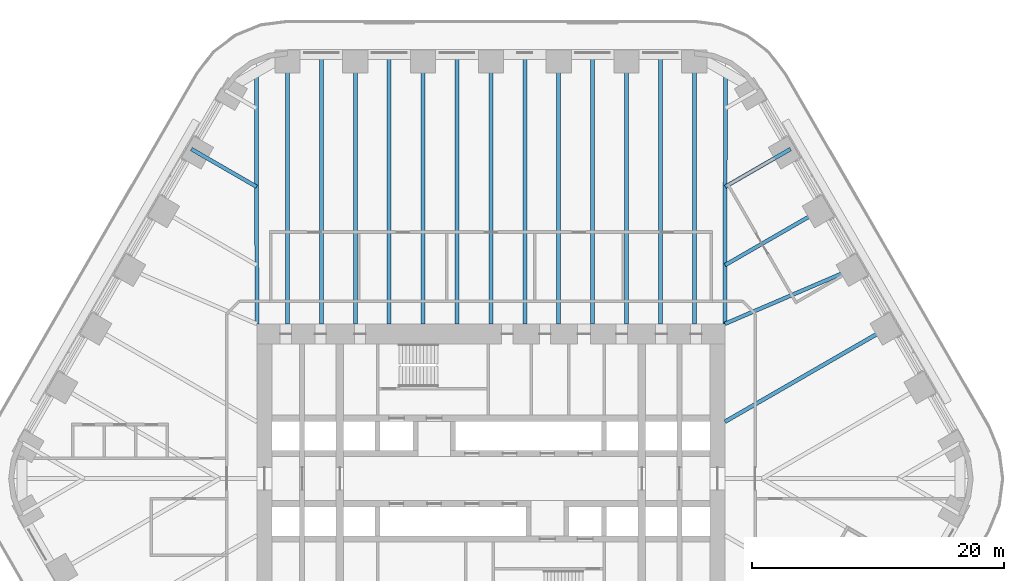
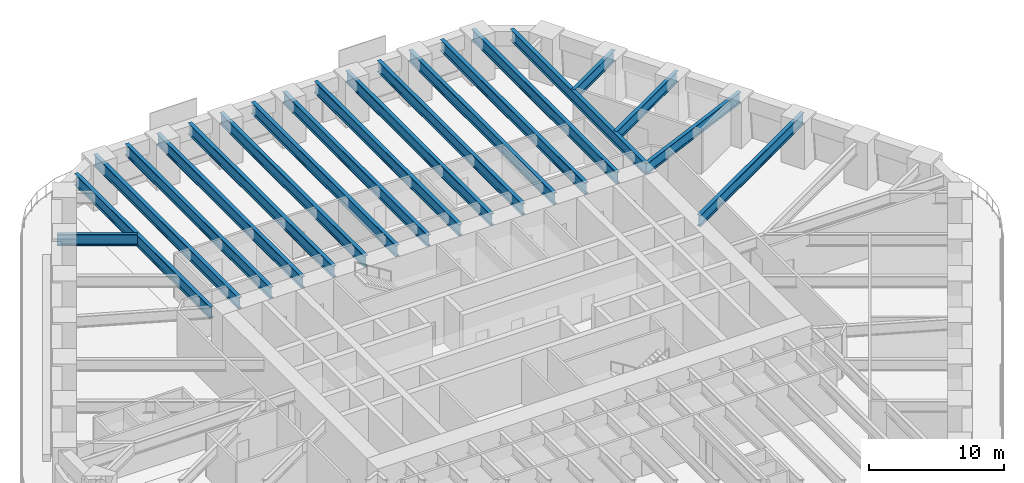
# One storey, part 10 of 23: 20 beams.
"""IFC4 building model written with IfcOpenShell, lengths in metres."""

from ifc_helpers import new_model, si_unit, direction, frame, origin, origin_2d, place, context, subcontext, project, spatial, i_section, extrude, material, material_profile, profile_set, type_object, element, save


model = new_model("IFC4")

# Units and contexts
model_context = context("Model", 3, precision=1e-05, world=origin(), true_north=direction((0.0, 1.0)))
body_context = subcontext(model_context, "Body", "Model", "MODEL_VIEW")
ifc_project = project(units=[si_unit("LENGTHUNIT", "METRE"), si_unit("AREAUNIT", "SQUARE_METRE"), si_unit("VOLUMEUNIT", "CUBIC_METRE"), si_unit("PLANEANGLEUNIT", "RADIAN"), si_unit("MASSUNIT", "GRAM", prefix="KILO")], contexts=[model_context])

# Site, building, storey
site_placement = place(None, origin())
site = spatial("IfcSite", under=ifc_project, at=site_placement, CompositionType="ELEMENT")
building_placement = place(site_placement, origin())
building = spatial("IfcBuilding", under=site, at=building_placement, Name="Tarfa Lantern Tower", CompositionType="ELEMENT")
storey_placement = place(building_placement, frame((0.0, 0.0, 57.10009765625)))
storey = spatial("IfcBuildingStorey", under=building, at=storey_placement, Name="L12", CompositionType="ELEMENT", Elevation=57.10009765625)

# Beams
ifc_material = material(Name="Steel S460M", Category="steel")
ifc_material_profile_1 = material_profile(ifc_material, i_section(OverallWidth=0.302001953125, OverallDepth=1.008056640625, WebThickness=0.02099609375, FlangeThickness=0.0400390625, FilletRadius=0.030029296875, at=origin_2d()), Name="UB1016x305x349")
ifc_profile_set_1 = profile_set([ifc_material_profile_1], Name="Steel S460M")
beam_type_1 = type_object("IfcBeamType", Name="UB1016x305x349", PredefinedType="BEAM", material=ifc_profile_set_1)
beam_1_placement = place(storey_placement, frame((29.202392578125, 16.860107421875, 3.495849609375), z_axis=(-0.918635483867, -0.395106122175, 0.0), x_axis=(0.395106122175, -0.918635483867, 0.0)))
element("IfcBeam", 1, at=beam_1_placement, inside=storey, type_object=beam_type_1, Name="Floor beam NE3", PredefinedType="BEAM", context=body_context, shape_type="SweptSolid", body=[
    extrude(i_section(OverallWidth=0.302001953125, OverallDepth=1.008056640625, WebThickness=0.02099609375, FlangeThickness=0.0400390625, FilletRadius=0.030029296875, at=origin_2d()), origin(), (0.0, 0.0, 1.0), 11.541259765625),
])
beam_2_placement = place(storey_placement, frame((26.508056640625, 21.526611328125, 3.495849609375), z_axis=(-0.866035355799, -0.49998276221, 0.0), x_axis=(0.49998276221, -0.866035355799, 0.0)))
element("IfcBeam", 2, at=beam_2_placement, inside=storey, type_object=beam_type_1, Name="Floor beam NE4", PredefinedType="BEAM", context=body_context, shape_type="SweptSolid", body=[
    extrude(i_section(OverallWidth=0.302001953125, OverallDepth=1.008056640625, WebThickness=0.02099609375, FlangeThickness=0.0400390625, FilletRadius=0.030029296875, at=origin_2d()), origin(), (0.0, 0.0, 1.0), 9.119873046875),
])
for number, where, z_axis, x_axis, name in (
    (3, (23.813720703125, 26.193359375, 3.495849609375), (-0.866015997389, -0.500016292001, 0.0), (0.500016292001, -0.866015997389, 0.0), "Floor beam NE5"),
    (4, (-23.813720703125, 26.193359375, 3.495849609375), (0.866015997389, -0.500016292001, 0.0), (0.500016292001, 0.866015997389, 0.0), "Floor beam NW1"),
):
    element("IfcBeam", number, at=place(storey_placement, frame(where, z_axis=z_axis, x_axis=x_axis)), inside=storey, type_object=beam_type_1, Name=name, PredefinedType="BEAM", context=body_context, shape_type="SweptSolid", body=[
        extrude(i_section(OverallWidth=0.302001953125, OverallDepth=1.008056640625, WebThickness=0.02099609375, FlangeThickness=0.0400390625, FilletRadius=0.030029296875, at=origin_2d()), origin(), (0.0, 0.0, 1.0), 5.993408203125),
    ])
ifc_material_profile_2 = material_profile(ifc_material, i_section(OverallWidth=0.314208984375, OverallDepth=1.055908203125, WebThickness=0.035888671875, FlangeThickness=0.06396484375, FilletRadius=0.030029296875, at=origin_2d()), Name="UB1016x305x584")
ifc_profile_set_2 = profile_set([ifc_material_profile_2], Name="Steel S460M")
beam_type_2 = type_object("IfcBeamType", Name="UB1016x305x584", PredefinedType="BEAM", material=ifc_profile_set_2)
for number, where, z_axis, x_axis, name in (
    (5, (18.60009765625, 12.300048828125, 3.471923828125), (0.00212508222, 0.99999774201, 0.0), (-0.99999774201, 0.00212508222, 0.0), "Hip girder NE"),
    (6, (-18.60009765625, 12.300048828125, 3.471923828125), (-0.00212508222, 0.99999774201, 0.0), (-0.99999774201, -0.00212508222, 0.0), "Hip girder NW"),
):
    element("IfcBeam", number, at=place(storey_placement, frame(where, z_axis=z_axis, x_axis=x_axis)), inside=storey, type_object=beam_type_2, Name=name, PredefinedType="BEAM", context=body_context, shape_type="SweptSolid", body=[
        extrude(i_section(OverallWidth=0.314208984375, OverallDepth=1.055908203125, WebThickness=0.035888671875, FlangeThickness=0.06396484375, FilletRadius=0.030029296875, at=origin_2d()), origin(), (0.0, 0.0, 1.0), 19.989990234375),
    ])
beam_3_placement = place(storey_placement, frame((31.896728515625, 12.193359375, 3.471923828125), z_axis=(-0.866026971665, -0.499997284341, 0.0), x_axis=(0.499997284341, -0.866026971665, 0.0)))
element("IfcBeam", 7, at=beam_3_placement, inside=storey, type_object=beam_type_2, Name="Floor beam NE2", PredefinedType="BEAM", context=body_context, shape_type="SweptSolid", body=[
    extrude(i_section(OverallWidth=0.314208984375, OverallDepth=1.055908203125, WebThickness=0.035888671875, FlangeThickness=0.06396484375, FilletRadius=0.030029296875, at=origin_2d()), origin(), (0.0, 0.0, 1.0), 15.353515625),
])
for number, where, z_axis, x_axis, name in (
    (8, (16.165771484375, 33.719970703125, 3.471923828125), (0.0, -1.0, 0.0), (1.0, 0.0, 0.0), "Floor beam N0"),
    (9, (10.777099609375, 33.719970703125, 3.471923828125), (0.0, -1.0, 0.0), (1.0, 0.0, 0.0), "Floor beam N1"),
    (10, (5.388671875, 33.719970703125, 3.471923828125), (0.0, -1.0, 0.0), (1.0, 0.0, 0.0), "Floor beam N2"),
    (11, (0.0, 33.719970703125, 3.471923828125), (0.0, -1.0, 0.0), (1.0, 0.0, 0.0), "Floor beam N3"),
    (12, (-5.388671875, 33.719970703125, 3.471923828125), (0.0, -1.0, 0.0), (1.0, 0.0, 0.0), "Floor beam N4"),
    (13, (-10.777099609375, 33.719970703125, 3.471923828125), (0.0, -1.0, 0.0), (1.0, 0.0, 0.0), "Floor beam N5"),
    (14, (-16.165771484375, 33.719970703125, 3.471923828125), (0.0, -1.0, 0.0), (1.0, 0.0, 0.0), "Floor beam N6"),
    (15, (13.471435546875, 33.719970703125, 3.471923828125), (0.0, -1.0, 0.0), (1.0, 0.0, 0.0), "Floor beam N0M"),
    (16, (8.0830078125, 33.719970703125, 3.471923828125), (0.0, -1.0, 0.0), (1.0, 0.0, 0.0), "Floor beam N1M"),
    (17, (2.6943359375, 33.719970703125, 3.471923828125), (0.0, -1.0, 0.0), (1.0, 0.0, 0.0), "Floor beam N2M"),
    (18, (-2.6943359375, 33.719970703125, 3.471923828125), (0.0, -1.0, 0.0), (1.0, 0.0, 0.0), "Floor beam N3M"),
    (19, (-8.0830078125, 33.719970703125, 3.471923828125), (0.0, -1.0, 0.0), (1.0, 0.0, 0.0), "Floor beam N4M"),
    (20, (-13.471435546875, 33.719970703125, 3.471923828125), (0.0, -1.0, 0.0), (1.0, 0.0, 0.0), "Floor beam N5M"),
):
    element("IfcBeam", number, at=place(storey_placement, frame(where, z_axis=z_axis, x_axis=x_axis)), inside=storey, type_object=beam_type_2, Name=name, PredefinedType="BEAM", context=body_context, shape_type="SweptSolid", body=[
        extrude(i_section(OverallWidth=0.314208984375, OverallDepth=1.055908203125, WebThickness=0.035888671875, FlangeThickness=0.06396484375, FilletRadius=0.030029296875, at=origin_2d()), origin(), (0.0, 0.0, 1.0), 21.419921875),
    ])

save(model, "model.ifc")
